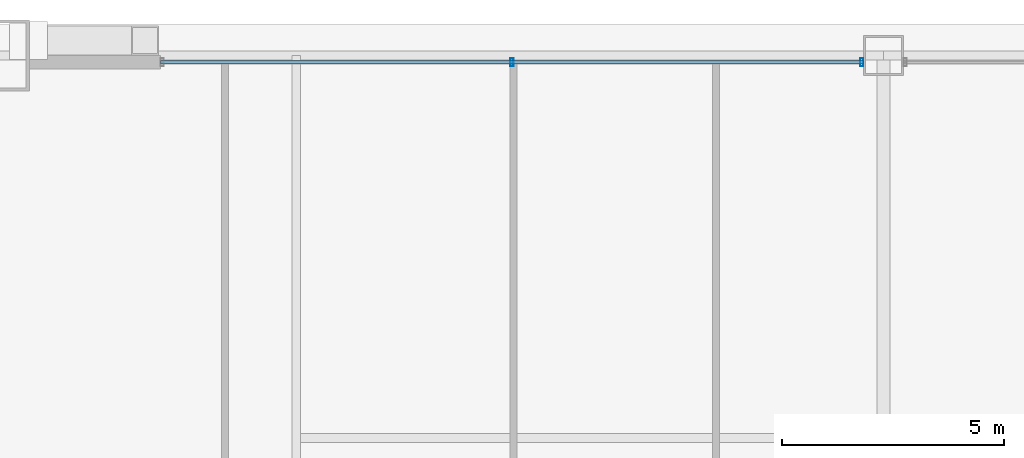
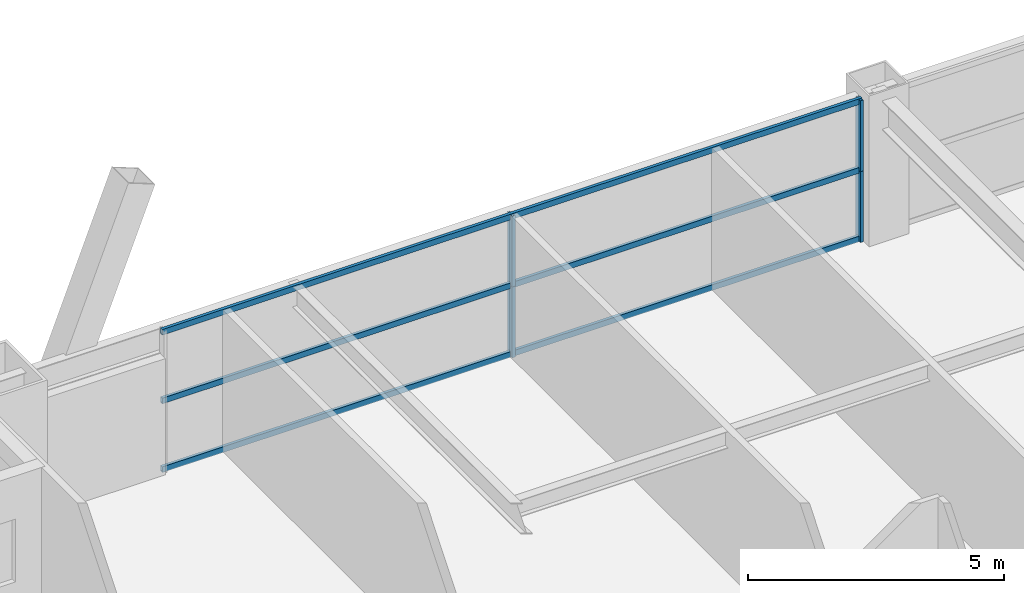
# One storey, part 29 of 43: 7 members, 1 element without a shape of its own.
"""IFC4 building model written with IfcOpenShell, lengths in metres."""

from ifc_helpers import new_model, si_unit, direction, frame, origin, origin_2d, place, context, subcontext, project, spatial, hollow_rectangle, extrude, source, transform, mapped, material, layer, layer_set, material_profile, profile_set, type_object, element, aggregate, save


model = new_model("IFC4")

# Units and contexts
model_context = context("Model", 3, precision=1e-05, world=origin(), true_north=direction((0.0, 1.0)))
body_context = subcontext(model_context, "Body", "Model", "MODEL_VIEW")
ifc_project = project(units=[si_unit("LENGTHUNIT", "METRE"), si_unit("AREAUNIT", "SQUARE_METRE"), si_unit("VOLUMEUNIT", "CUBIC_METRE"), si_unit("PLANEANGLEUNIT", "RADIAN"), si_unit("MASSUNIT", "GRAM", prefix="KILO"), si_unit("THERMODYNAMICTEMPERATUREUNIT", "KELVIN"), si_unit("POWERUNIT", "WATT")], contexts=[model_context])

# Site, building, storey
site_placement = place(None, origin())
site = spatial("IfcSite", under=ifc_project, at=site_placement, CompositionType="ELEMENT")
building_placement = place(site_placement, origin())
building = spatial("IfcBuilding", under=site, at=building_placement, Name="Yuzanri Waterfront Tower", CompositionType="ELEMENT")
storey_placement = place(building_placement, frame((0.0, 0.0, 93.800048828125)))
storey = spatial("IfcBuildingStorey", under=building, at=storey_placement, Name="L24", CompositionType="ELEMENT", Elevation=93.800048828125)

# Curtain wall, members
ifc_material_1 = material(Name="Anodized Architectural Bronze", Category="metal")
ifc_layer = layer(ifc_material_1, 0.159912109375)
ifc_layer_set = layer_set([ifc_layer], Name="Anodized Architectural Bronze")
curtain_wall_type = type_object("IfcCurtainWallType", Name="Anodized Bronze Hotel Upper-Tier Solar-Control Unitized Curtain Wall 7800", PredefinedType="NOTDEFINED", material=ifc_layer_set)
curtain_wall_placement = place(storey_placement, origin())
curtain_wall = element("IfcCurtainWall", 1, at=curtain_wall_placement, inside=storey, type_object=curtain_wall_type, Name="L24 Curtain Wall CW-L24-NL", PredefinedType="NOTDEFINED")
ifc_material_2 = material(Name="Anodized Architectural Bronze", Category="metal")
ifc_material_profile_1 = material_profile(ifc_material_2, hollow_rectangle(XDim=0.070068359375, YDim=0.179931640625, WallThickness=0.00390625, at=origin_2d()), Name="CWM 70x180")
ifc_profile_set_1 = profile_set([ifc_material_profile_1], Name="Anodized Architectural Bronze")
member_type_1 = type_object("IfcMemberType", Name="Anodized Bronze Standard Curtain-Wall Mullion 70x180", PredefinedType="MULLION", material=ifc_profile_set_1)
shared_shape_1 = source(origin(), body_context, "Body", "SweptSolid", [
    extrude(hollow_rectangle(XDim=0.070068359375, YDim=0.179931640625, WallThickness=0.00390625, at=origin_2d()), origin(), (0.0, 0.0, 1.0), 1.68798828125),
])
member_1_placement = place(storey_placement, frame((28.64990234375, 49.25, 0.0), z_axis=(0.0, 0.0, 1.0), x_axis=(1.0, 0.0, 0.0)))
member_1 = element("IfcMember", 2, at=member_1_placement, type_object=member_type_1, Name="CW-L24-NL Lower Mullion 01", PredefinedType="MULLION", context=body_context, shape_type="MappedRepresentation", body=[
    mapped(shared_shape_1, transform((0.0, 0.0, 0.0), scale=1.0)),
])
member_2_placement = place(storey_placement, frame((28.64990234375, 49.25, 1.69189453125), z_axis=(0.0, 0.0, 1.0), x_axis=(1.0, 0.0, 0.0)))
member_2 = element("IfcMember", 3, at=member_2_placement, type_object=member_type_1, Name="CW-L24-NL Upper Mullion 01", PredefinedType="MULLION", context=body_context, shape_type="MappedRepresentation", body=[
    mapped(shared_shape_1, transform((0.0, 0.0, 0.0), scale=1.0)),
])
member_3_placement = place(storey_placement, frame((36.510009765625, 49.25, 0.0), z_axis=(0.0, 0.0, 1.0), x_axis=(1.0, 0.0, 0.0)))
member_3 = element("IfcMember", 4, at=member_3_placement, type_object=member_type_1, Name="CW-L24-NL Lower Mullion 02", PredefinedType="MULLION", context=body_context, shape_type="MappedRepresentation", body=[
    mapped(shared_shape_1, transform((0.0, 0.0, 0.0), scale=1.0)),
])
member_4_placement = place(storey_placement, frame((36.510009765625, 49.25, 1.69189453125), z_axis=(0.0, 0.0, 1.0), x_axis=(1.0, 0.0, 0.0)))
member_4 = element("IfcMember", 5, at=member_4_placement, type_object=member_type_1, Name="CW-L24-NL Upper Mullion 02", PredefinedType="MULLION", context=body_context, shape_type="MappedRepresentation", body=[
    mapped(shared_shape_1, transform((0.0, 0.0, 0.0), scale=1.0)),
])
ifc_material_3 = material(Name="Anodized Architectural Bronze", Category="metal")
ifc_material_profile_2 = material_profile(ifc_material_3, hollow_rectangle(XDim=0.070068359375, YDim=0.135009765625, WallThickness=0.00341796875, at=origin_2d()), Name="CWT 70x135")
ifc_profile_set_2 = profile_set([ifc_material_profile_2], Name="Anodized Architectural Bronze")
member_type_2 = type_object("IfcMemberType", Name="Anodized Bronze Standard Curtain-Wall Transom 70x135", PredefinedType="USERDEFINED", material=ifc_profile_set_2)
shared_shape_2 = source(origin(), body_context, "Body", "SweptSolid", [
    extrude(hollow_rectangle(XDim=0.070068359375, YDim=0.135009765625, WallThickness=0.00341796875, at=origin_2d()), origin(), (0.0, 0.0, 1.0), 15.800048828125),
])
member_5_placement = place(storey_placement, frame((20.75, 49.25, 0.050048828125), z_axis=(1.0, 0.0, 0.0), x_axis=(0.0, 1.0, 0.0)))
member_5 = element("IfcMember", 6, at=member_5_placement, type_object=member_type_2, Name="CW-L24-NL Transom 1", ObjectType="TRANSOM", PredefinedType="USERDEFINED", context=body_context, shape_type="MappedRepresentation", body=[
    mapped(shared_shape_2, transform((0.0, 0.0, 0.0), scale=1.0)),
])
member_6_placement = place(storey_placement, frame((20.75, 49.25, 1.68994140625), z_axis=(1.0, 0.0, 0.0), x_axis=(0.0, 1.0, 0.0)))
member_6 = element("IfcMember", 7, at=member_6_placement, type_object=member_type_2, Name="CW-L24-NL Transom 2", ObjectType="TRANSOM", PredefinedType="USERDEFINED", context=body_context, shape_type="MappedRepresentation", body=[
    mapped(shared_shape_2, transform((0.0, 0.0, 0.0), scale=1.0)),
])
member_7_placement = place(storey_placement, frame((20.75, 49.25, 3.329833984375), z_axis=(1.0, 0.0, 0.0), x_axis=(0.0, 1.0, 0.0)))
member_7 = element("IfcMember", 8, at=member_7_placement, type_object=member_type_2, Name="CW-L24-NL Transom 3", ObjectType="TRANSOM", PredefinedType="USERDEFINED", context=body_context, shape_type="MappedRepresentation", body=[
    mapped(shared_shape_2, transform((0.0, 0.0, 0.0), scale=1.0)),
])
aggregate(curtain_wall, [member_1, member_2, member_3, member_4, member_5, member_6, member_7])

save(model, "model.ifc")
